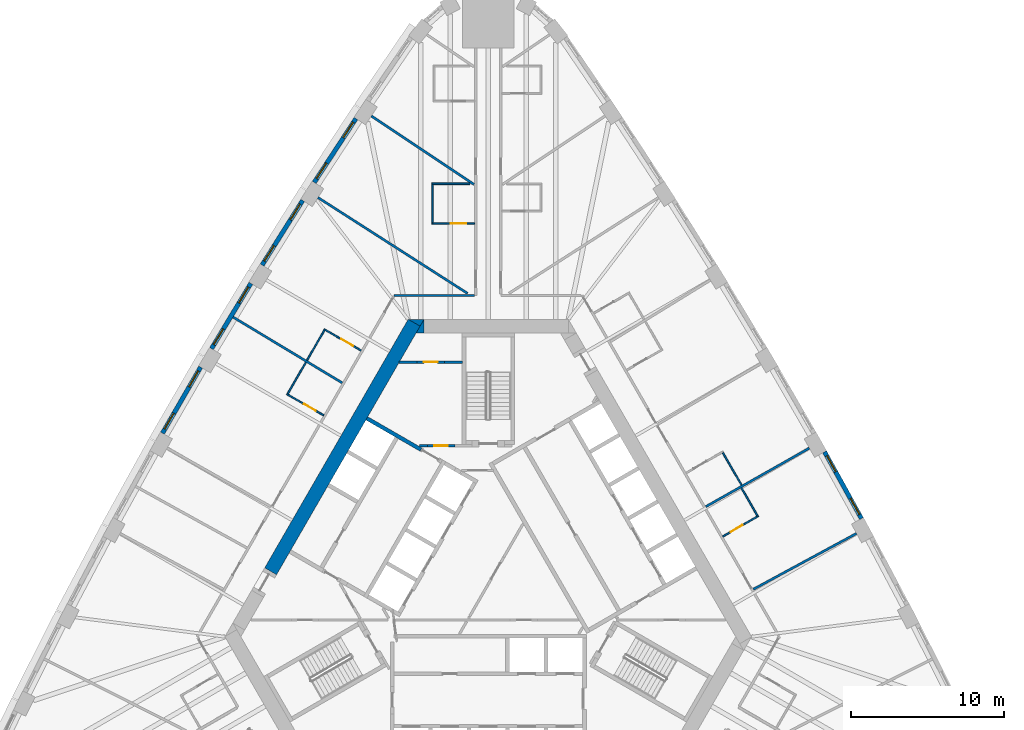
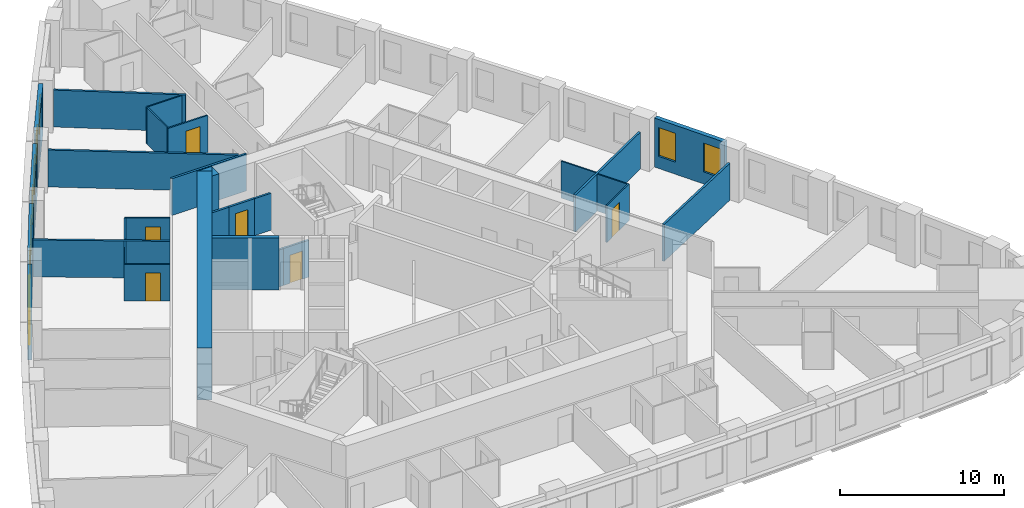
# One storey, part 9 of 13: 30 walls, 10 windows, 6 doors, 16 openings.
"""IFC4 building model written with IfcOpenShell, lengths in metres."""

from ifc_helpers import new_model, si_unit, direction, frame, frame_2d, origin, place, context, subcontext, project, spatial, polyline, rectangle, outline, extrude, material, layer, layer_set, type_object, element, fill, save


model = new_model("IFC4")

# Units and contexts
model_context = context("Model", 3, precision=1e-05, world=origin(), true_north=direction((0.0, 1.0)))
body_context = subcontext(model_context, "Body", "Model", "MODEL_VIEW")
ifc_project = project(units=[si_unit("LENGTHUNIT", "METRE"), si_unit("AREAUNIT", "SQUARE_METRE"), si_unit("VOLUMEUNIT", "CUBIC_METRE"), si_unit("PLANEANGLEUNIT", "RADIAN"), si_unit("MASSUNIT", "GRAM", prefix="KILO")], contexts=[model_context])

# Site, building, storey
site_placement = place(None, origin())
site = spatial("IfcSite", under=ifc_project, at=site_placement, CompositionType="ELEMENT")
building_placement = place(site_placement, origin())
building = spatial("IfcBuilding", under=site, at=building_placement, Name="Mestral Congress Tower", CompositionType="ELEMENT")
storey_placement = place(building_placement, frame((0.0, 0.0, 62.699951171875)))
storey = spatial("IfcBuildingStorey", under=building, at=storey_placement, Name="L14", CompositionType="ELEMENT", Elevation=62.699951171875)

# Walls
ifc_material_1 = material(Name="Fire-rated board partition")
ifc_layer_1 = layer(ifc_material_1, 0.14990234375)
ifc_layer_set_1 = layer_set([ifc_layer_1], Name="Fire-rated board partition")
wall_type_1 = type_object("IfcWallType", Name="Core partition 150", PredefinedType="PARTITIONING", material=ifc_layer_set_1)
wall_1_placement = place(storey_placement, frame((-3.99658203125, 8.625244140625, 0.0), z_axis=(0.0, 0.0, 1.0), x_axis=(-1.0, 0.0, 0.0)))
element("IfcWall", 1, at=wall_1_placement, inside=storey, type_object=wall_type_1, Name="L14 core wall", PredefinedType="PARTITIONING", context=body_context, shape_type="SweptSolid", body=[
    extrude(rectangle(XDim=0.502197265625, YDim=0.14990234375, at=frame_2d((0.2509765625, 0.0))), origin(), (0.0, 0.0, 1.0), 2.75),
])
wall_2_placement = place(storey_placement, frame((-5.85107421875, 14.10205078125, 0.0), z_axis=(0.0, 0.0, 1.0), x_axis=(1.0, 0.0, 0.0)))
element("IfcWall", 2, at=wall_2_placement, inside=storey, type_object=wall_type_1, Name="L14 core wall", PredefinedType="PARTITIONING", context=body_context, shape_type="SweptSolid", body=[
    extrude(rectangle(XDim=1.18017578125, YDim=0.14990234375, at=frame_2d((0.590087890625, 0.0))), origin(), (0.0, 0.0, 1.0), 2.75),
])
wall_3_placement = place(storey_placement, frame((-2.87060546875, 14.10205078125, 0.0), z_axis=(0.0, 0.0, 1.0), x_axis=(1.0, 0.0, 0.0)))
element("IfcWall", 3, at=wall_3_placement, inside=storey, type_object=wall_type_1, Name="L14 core wall", PredefinedType="PARTITIONING", context=body_context, shape_type="SweptSolid", body=[
    extrude(rectangle(XDim=1.195556640625, YDim=0.14990234375, at=frame_2d((0.59765625, 0.0))), origin(), (0.0, 0.0, 1.0), 2.75),
])

# Wall, opening, door
wall_4_placement = place(storey_placement, frame((-2.1962890625, 8.625, 0.0), z_axis=(0.0, 0.0, 1.0), x_axis=(-1.0, 0.0, 0.0)))
wall_4 = element("IfcWall", 4, at=wall_4_placement, inside=storey, type_object=wall_type_1, Name="L14 door wall", PredefinedType="PARTITIONING", context=body_context, shape_type="SweptSolid", body=[
    extrude(rectangle(XDim=1.800048828125, YDim=0.14990234375, at=frame_2d((0.89990234375, 0.0))), origin(), (0.0, 0.0, 1.0), 2.75),
])
opening_1_placement = place(wall_4_placement, frame((0.449951171875, 0.0, 0.0)))
opening_1 = element("IfcOpeningElement", 5, at=opening_1_placement, cuts=wall_4, Name="Opening TD2", PredefinedType="OPENING", context=body_context, shape_type="SweptSolid", body=[
    extrude(rectangle(XDim=0.89990234375, YDim=2.10009765625, at=frame_2d((0.449951171875, 1.050048828125))), frame((0.0, 0.0849609375, 0.0), z_axis=(0.0, -1.0, 0.0), x_axis=(1.0, 0.0, 0.0)), (0.0, 0.0, 1.0), 0.169921875),
])
ifc_material_2 = material(Name="Fire-rated steel door set", Category="steel")
door_type_1 = type_object("IfcDoorType", Name="Core door SR 900x2100", OperationType="SINGLE_SWING_LEFT", PredefinedType="DOOR", material=ifc_material_2)
door_1_placement = place(opening_1_placement, origin())
door_1 = element("IfcDoor", 6, at=door_1_placement, inside=storey, type_object=door_type_1, Name="Door TD2", OperationType="SINGLE_SWING_LEFT", OverallHeight=2.10009765625, OverallWidth=0.89990234375, PredefinedType="DOOR", context=body_context, shape_type="SweptSolid", body=[
    extrude(rectangle(XDim=0.89990234375, YDim=2.10009765625, at=frame_2d((0.449951171875, 1.050048828125))), frame((0.0, 0.02490234375, 0.0), z_axis=(0.0, -1.0, 0.0), x_axis=(1.0, 0.0, 0.0)), (0.0, 0.0, 1.0), 0.050048828125),
])
fill(opening_1, door_1)

wall_5_placement = place(storey_placement, frame((-2.870849609375, 14.10205078125, 0.0), z_axis=(0.0, 0.0, 1.0), x_axis=(-1.0, 0.0, 0.0)))
wall_5 = element("IfcWall", 7, at=wall_5_placement, inside=storey, type_object=wall_type_1, Name="L14 door wall", PredefinedType="PARTITIONING", context=body_context, shape_type="SweptSolid", body=[
    extrude(rectangle(XDim=1.800048828125, YDim=0.14990234375, at=frame_2d((0.89990234375, 0.0))), origin(), (0.0, 0.0, 1.0), 2.75),
])
opening_2_placement = place(wall_5_placement, frame((0.449951171875, 0.0, 0.0)))
opening_2 = element("IfcOpeningElement", 8, at=opening_2_placement, cuts=wall_5, Name="Opening SD-WS2", PredefinedType="OPENING", context=body_context, shape_type="SweptSolid", body=[
    extrude(rectangle(XDim=0.89990234375, YDim=2.10009765625, at=frame_2d((0.449951171875, 1.050048828125))), frame((0.0, 0.0849609375, 0.0), z_axis=(0.0, -1.0, 0.0), x_axis=(1.0, 0.0, 0.0)), (0.0, 0.0, 1.0), 0.169921875),
])
door_2_placement = place(opening_2_placement, origin())
door_2 = element("IfcDoor", 9, at=door_2_placement, inside=storey, type_object=door_type_1, Name="Door SD-WS2", OperationType="SINGLE_SWING_LEFT", OverallHeight=2.10009765625, OverallWidth=0.89990234375, PredefinedType="DOOR", context=body_context, shape_type="SweptSolid", body=[
    extrude(rectangle(XDim=0.89990234375, YDim=2.10009765625, at=frame_2d((0.449951171875, 1.050048828125))), frame((0.0, 0.02490234375, 0.0), z_axis=(0.0, -1.0, 0.0), x_axis=(1.0, 0.0, 0.0)), (0.0, 0.0, 1.0), 0.050048828125),
])
fill(opening_2, door_2)

# Walls
ifc_material_3 = material(Name="Concrete C60/75", Category="concrete")
ifc_layer_2 = layer(ifc_material_3, 0.89990234375)
ifc_layer_set_2 = layer_set([ifc_layer_2], Name="Concrete C60/75")
wall_type_2 = type_object("IfcWallType", Name="Core wall RC 900", PredefinedType="SOLIDWALL", material=ifc_layer_set_2)
wall_6_placement = place(storey_placement, frame((-14.267822265625, 0.38720703125, 0.0), z_axis=(0.0, 0.0, 1.0), x_axis=(0.499994617707, 0.866028511231, 0.0)))
element("IfcWall", 10, at=wall_6_placement, inside=storey, type_object=wall_type_2, Name="L14 core wall", PredefinedType="SOLIDWALL", context=body_context, shape_type="SweptSolid", body=[
    extrude(rectangle(XDim=18.817138671875, YDim=0.89990234375, at=frame_2d((9.40869140625, 0.0))), origin(), (0.0, 0.0, 1.0), 3.900146484375),
])
placement = place(storey_placement, origin())
element("IfcWall", 11, at=placement, inside=storey, type_object=wall_type_2, Name="L14 core wall", PredefinedType="SOLIDWALL", context=body_context, shape_type="SweptSolid", body=[
    extrude(outline(polyline([(-4.214599609375, 16.89990234375), (-4.46875, 16.460205078125), (-5.230712890625, 16.89990234375), (-4.214599609375, 16.89990234375)])), origin(), (0.0, 0.0, 1.0), 3.900146484375),
])
element("IfcWall", 12, at=placement, inside=storey, type_object=wall_type_2, Name="L14 core wall", PredefinedType="SOLIDWALL", context=body_context, shape_type="SweptSolid", body=[
    extrude(outline(polyline([(-4.734375, 16.0), (-4.226318359375, 16.8798828125), (-4.226318359375, 16.0), (-4.734375, 16.0)])), origin(), (0.0, 0.0, 1.0), 3.900146484375),
])

# Wall, openings, windows
ifc_material_4 = material(Name="Precast concrete C40/50 with limestone facing", Category="masonry")
ifc_layer_3 = layer(ifc_material_4, 0.2900390625)
ifc_layer_set_3 = layer_set([ifc_layer_3], Name="Precast concrete C40/50 with limestone facing")
wall_type_3 = type_object("IfcWallType", Name="Facade stone wall 290", PredefinedType="SOLIDWALL", material=ifc_layer_set_3)
wall_9_placement = place(storey_placement, frame((24.46826171875, 3.845703125, 0.0), z_axis=(0.0, 0.0, 1.0), x_axis=(-0.483912572871, 0.875116347589, 0.0)))
wall_9 = element("IfcWall", 13, at=wall_9_placement, inside=storey, type_object=wall_type_3, Name="Facade wall F1-03", PredefinedType="SOLIDWALL", context=body_context, shape_type="SweptSolid", body=[
    extrude(rectangle(XDim=4.998291015625, YDim=0.2900390625, at=frame_2d((2.4990234375, 0.0))), origin(), (0.0, 0.0, 1.0), 3.650146484375),
])
opening_3_placement = place(wall_9_placement, frame((0.297119140625, 0.0, 0.89990234375)))
opening_3 = element("IfcOpeningElement", 14, at=opening_3_placement, cuts=wall_9, Name="Opening W1", PredefinedType="OPENING", context=body_context, shape_type="SweptSolid", body=[
    extrude(rectangle(XDim=1.199951171875, YDim=2.14990234375, at=frame_2d((0.60009765625, 1.074951171875))), frame((0.0, 0.155029296875, 0.0), z_axis=(0.0, -1.0, 0.0), x_axis=(1.0, 0.0, 0.0)), (0.0, 0.0, 1.0), 0.31005859375),
])
opening_4_placement = place(wall_9_placement, frame((3.501220703125, 0.0, 0.89990234375)))
opening_4 = element("IfcOpeningElement", 15, at=opening_4_placement, cuts=wall_9, Name="Opening W1", PredefinedType="OPENING", context=body_context, shape_type="SweptSolid", body=[
    extrude(rectangle(XDim=1.199951171875, YDim=2.14990234375, at=frame_2d((0.60009765625, 1.074951171875))), frame((0.0, 0.155029296875, 0.0), z_axis=(0.0, -1.0, 0.0), x_axis=(1.0, 0.0, 0.0)), (0.0, 0.0, 1.0), 0.31005859375),
])
ifc_material_5 = material(Name="Clear low-emissivity double glazing", Category="glass")
window_type = type_object("IfcWindowType", Name="Facade punched window 1200 x 2150 sill 900", PartitioningType="DOUBLE_PANEL_VERTICAL", PredefinedType="WINDOW", material=ifc_material_5)
window_1_placement = place(opening_3_placement, origin())
window_1 = element("IfcWindow", 16, at=window_1_placement, inside=storey, type_object=window_type, Name="Window F1-03a", OverallHeight=2.14990234375, OverallWidth=1.199951171875, PartitioningType="DOUBLE_PANEL_VERTICAL", PredefinedType="WINDOW", context=body_context, shape_type="SweptSolid", body=[
    extrude(rectangle(XDim=1.199951171875, YDim=2.14990234375, at=frame_2d((0.60009765625, 1.074951171875))), frame((0.0, 0.01513671875, 0.0), z_axis=(0.0, -1.0, 0.0), x_axis=(1.0, 0.0, 0.0)), (0.0, 0.0, 1.0), 0.06005859375),
])
fill(opening_3, window_1)
window_2_placement = place(opening_4_placement, origin())
window_2 = element("IfcWindow", 17, at=window_2_placement, inside=storey, type_object=window_type, Name="Window F1-03b", OverallHeight=2.14990234375, OverallWidth=1.199951171875, PartitioningType="DOUBLE_PANEL_VERTICAL", PredefinedType="WINDOW", context=body_context, shape_type="SweptSolid", body=[
    extrude(rectangle(XDim=1.199951171875, YDim=2.14990234375, at=frame_2d((0.60009765625, 1.074951171875))), frame((0.0, 0.01513671875, 0.0), z_axis=(0.0, -1.0, 0.0), x_axis=(1.0, 0.0, 0.0)), (0.0, 0.0, 1.0), 0.06005859375),
])
fill(opening_4, window_2)

wall_10_placement = place(storey_placement, frame((-8.675537109375, 30.067626953125, 0.0), z_axis=(0.0, 0.0, 1.0), x_axis=(-0.547204617628, -0.836998868845, 0.0)))
wall_10 = element("IfcWall", 18, at=wall_10_placement, inside=storey, type_object=wall_type_3, Name="Facade wall F2-01", PredefinedType="SOLIDWALL", context=body_context, shape_type="SweptSolid", body=[
    extrude(rectangle(XDim=4.998291015625, YDim=0.2900390625, at=frame_2d((2.4990234375, 0.0))), origin(), (0.0, 0.0, 1.0), 3.650146484375),
])
opening_5_placement = place(wall_10_placement, frame((0.297119140625, 0.0, 0.89990234375)))
opening_5 = element("IfcOpeningElement", 19, at=opening_5_placement, cuts=wall_10, Name="Opening W1", PredefinedType="OPENING", context=body_context, shape_type="SweptSolid", body=[
    extrude(rectangle(XDim=1.199951171875, YDim=2.14990234375, at=frame_2d((0.60009765625, 1.074951171875))), frame((0.0, 0.155029296875, 0.0), z_axis=(0.0, -1.0, 0.0), x_axis=(1.0, 0.0, 0.0)), (0.0, 0.0, 1.0), 0.31005859375),
])
opening_6_placement = place(wall_10_placement, frame((3.501220703125, 0.0, 0.89990234375)))
opening_6 = element("IfcOpeningElement", 20, at=opening_6_placement, cuts=wall_10, Name="Opening W1", PredefinedType="OPENING", context=body_context, shape_type="SweptSolid", body=[
    extrude(rectangle(XDim=1.199951171875, YDim=2.14990234375, at=frame_2d((0.60009765625, 1.074951171875))), frame((0.0, 0.155029296875, 0.0), z_axis=(0.0, -1.0, 0.0), x_axis=(1.0, 0.0, 0.0)), (0.0, 0.0, 1.0), 0.31005859375),
])
window_3_placement = place(opening_5_placement, origin())
window_3 = element("IfcWindow", 21, at=window_3_placement, inside=storey, type_object=window_type, Name="Window F2-01a", OverallHeight=2.14990234375, OverallWidth=1.199951171875, PartitioningType="DOUBLE_PANEL_VERTICAL", PredefinedType="WINDOW", context=body_context, shape_type="SweptSolid", body=[
    extrude(rectangle(XDim=1.199951171875, YDim=2.14990234375, at=frame_2d((0.60009765625, 1.074951171875))), frame((0.0, 0.01513671875, 0.0), z_axis=(0.0, -1.0, 0.0), x_axis=(1.0, 0.0, 0.0)), (0.0, 0.0, 1.0), 0.06005859375),
])
fill(opening_5, window_3)
window_4_placement = place(opening_6_placement, origin())
window_4 = element("IfcWindow", 22, at=window_4_placement, inside=storey, type_object=window_type, Name="Window F2-01b", OverallHeight=2.14990234375, OverallWidth=1.199951171875, PartitioningType="DOUBLE_PANEL_VERTICAL", PredefinedType="WINDOW", context=body_context, shape_type="SweptSolid", body=[
    extrude(rectangle(XDim=1.199951171875, YDim=2.14990234375, at=frame_2d((0.60009765625, 1.074951171875))), frame((0.0, 0.01513671875, 0.0), z_axis=(0.0, -1.0, 0.0), x_axis=(1.0, 0.0, 0.0)), (0.0, 0.0, 1.0), 0.06005859375),
])
fill(opening_6, window_4)

wall_11_placement = place(storey_placement, frame((-12.169921875, 24.69921875, 0.0), z_axis=(0.0, 0.0, 1.0), x_axis=(-0.531688286542, -0.846940119462, 0.0)))
wall_11 = element("IfcWall", 23, at=wall_11_placement, inside=storey, type_object=wall_type_3, Name="Facade wall F2-02", PredefinedType="SOLIDWALL", context=body_context, shape_type="SweptSolid", body=[
    extrude(rectangle(XDim=4.998291015625, YDim=0.2900390625, at=frame_2d((2.4990234375, 0.0))), origin(), (0.0, 0.0, 1.0), 3.650146484375),
])
opening_7_placement = place(wall_11_placement, frame((0.297119140625, 0.0, 0.89990234375)))
opening_7 = element("IfcOpeningElement", 24, at=opening_7_placement, cuts=wall_11, Name="Opening W1", PredefinedType="OPENING", context=body_context, shape_type="SweptSolid", body=[
    extrude(rectangle(XDim=1.199951171875, YDim=2.14990234375, at=frame_2d((0.60009765625, 1.074951171875))), frame((0.0, 0.155029296875, 0.0), z_axis=(0.0, -1.0, 0.0), x_axis=(1.0, 0.0, 0.0)), (0.0, 0.0, 1.0), 0.31005859375),
])
opening_8_placement = place(wall_11_placement, frame((3.501220703125, 0.0, 0.89990234375)))
opening_8 = element("IfcOpeningElement", 25, at=opening_8_placement, cuts=wall_11, Name="Opening W1", PredefinedType="OPENING", context=body_context, shape_type="SweptSolid", body=[
    extrude(rectangle(XDim=1.199951171875, YDim=2.14990234375, at=frame_2d((0.60009765625, 1.074951171875))), frame((0.0, 0.155029296875, 0.0), z_axis=(0.0, -1.0, 0.0), x_axis=(1.0, 0.0, 0.0)), (0.0, 0.0, 1.0), 0.31005859375),
])
window_5_placement = place(opening_7_placement, origin())
window_5 = element("IfcWindow", 26, at=window_5_placement, inside=storey, type_object=window_type, Name="Window F2-02a", OverallHeight=2.14990234375, OverallWidth=1.199951171875, PartitioningType="DOUBLE_PANEL_VERTICAL", PredefinedType="WINDOW", context=body_context, shape_type="SweptSolid", body=[
    extrude(rectangle(XDim=1.199951171875, YDim=2.14990234375, at=frame_2d((0.60009765625, 1.074951171875))), frame((0.0, 0.01513671875, 0.0), z_axis=(0.0, -1.0, 0.0), x_axis=(1.0, 0.0, 0.0)), (0.0, 0.0, 1.0), 0.06005859375),
])
fill(opening_7, window_5)
window_6_placement = place(opening_8_placement, origin())
window_6 = element("IfcWindow", 27, at=window_6_placement, inside=storey, type_object=window_type, Name="Window F2-02b", OverallHeight=2.14990234375, OverallWidth=1.199951171875, PartitioningType="DOUBLE_PANEL_VERTICAL", PredefinedType="WINDOW", context=body_context, shape_type="SweptSolid", body=[
    extrude(rectangle(XDim=1.199951171875, YDim=2.14990234375, at=frame_2d((0.60009765625, 1.074951171875))), frame((0.0, 0.01513671875, 0.0), z_axis=(0.0, -1.0, 0.0), x_axis=(1.0, 0.0, 0.0)), (0.0, 0.0, 1.0), 0.06005859375),
])
fill(opening_8, window_6)

wall_12_placement = place(storey_placement, frame((-15.564453125, 19.267333984375, 0.0), z_axis=(0.0, 0.0, 1.0), x_axis=(-0.515938796285, -0.856625448191, 0.0)))
wall_12 = element("IfcWall", 28, at=wall_12_placement, inside=storey, type_object=wall_type_3, Name="Facade wall F2-03", PredefinedType="SOLIDWALL", context=body_context, shape_type="SweptSolid", body=[
    extrude(rectangle(XDim=4.998291015625, YDim=0.2900390625, at=frame_2d((2.4990234375, 0.0))), origin(), (0.0, 0.0, 1.0), 3.650146484375),
])
opening_9_placement = place(wall_12_placement, frame((0.297119140625, 0.0, 0.89990234375)))
opening_9 = element("IfcOpeningElement", 29, at=opening_9_placement, cuts=wall_12, Name="Opening W1", PredefinedType="OPENING", context=body_context, shape_type="SweptSolid", body=[
    extrude(rectangle(XDim=1.199951171875, YDim=2.14990234375, at=frame_2d((0.60009765625, 1.074951171875))), frame((0.0, 0.155029296875, 0.0), z_axis=(0.0, -1.0, 0.0), x_axis=(1.0, 0.0, 0.0)), (0.0, 0.0, 1.0), 0.31005859375),
])
opening_10_placement = place(wall_12_placement, frame((3.501220703125, 0.0, 0.89990234375)))
opening_10 = element("IfcOpeningElement", 30, at=opening_10_placement, cuts=wall_12, Name="Opening W1", PredefinedType="OPENING", context=body_context, shape_type="SweptSolid", body=[
    extrude(rectangle(XDim=1.199951171875, YDim=2.14990234375, at=frame_2d((0.60009765625, 1.074951171875))), frame((0.0, 0.155029296875, 0.0), z_axis=(0.0, -1.0, 0.0), x_axis=(1.0, 0.0, 0.0)), (0.0, 0.0, 1.0), 0.31005859375),
])
window_7_placement = place(opening_9_placement, origin())
window_7 = element("IfcWindow", 31, at=window_7_placement, inside=storey, type_object=window_type, Name="Window F2-03a", OverallHeight=2.14990234375, OverallWidth=1.199951171875, PartitioningType="DOUBLE_PANEL_VERTICAL", PredefinedType="WINDOW", context=body_context, shape_type="SweptSolid", body=[
    extrude(rectangle(XDim=1.199951171875, YDim=2.14990234375, at=frame_2d((0.60009765625, 1.074951171875))), frame((0.0, 0.01513671875, 0.0), z_axis=(0.0, -1.0, 0.0), x_axis=(1.0, 0.0, 0.0)), (0.0, 0.0, 1.0), 0.06005859375),
])
fill(opening_9, window_7)
window_8_placement = place(opening_10_placement, origin())
window_8 = element("IfcWindow", 32, at=window_8_placement, inside=storey, type_object=window_type, Name="Window F2-03b", OverallHeight=2.14990234375, OverallWidth=1.199951171875, PartitioningType="DOUBLE_PANEL_VERTICAL", PredefinedType="WINDOW", context=body_context, shape_type="SweptSolid", body=[
    extrude(rectangle(XDim=1.199951171875, YDim=2.14990234375, at=frame_2d((0.60009765625, 1.074951171875))), frame((0.0, 0.01513671875, 0.0), z_axis=(0.0, -1.0, 0.0), x_axis=(1.0, 0.0, 0.0)), (0.0, 0.0, 1.0), 0.06005859375),
])
fill(opening_10, window_8)

wall_13_placement = place(storey_placement, frame((-18.85791015625, 13.7734375, 0.0), z_axis=(0.0, 0.0, 1.0), x_axis=(-0.50002123722, -0.866013142123, 0.0)))
wall_13 = element("IfcWall", 33, at=wall_13_placement, inside=storey, type_object=wall_type_3, Name="Facade wall F2-04", PredefinedType="SOLIDWALL", context=body_context, shape_type="SweptSolid", body=[
    extrude(rectangle(XDim=4.998291015625, YDim=0.2900390625, at=frame_2d((2.4990234375, 0.0))), origin(), (0.0, 0.0, 1.0), 3.650146484375),
])
opening_11_placement = place(wall_13_placement, frame((0.297119140625, 0.0, 0.89990234375)))
opening_11 = element("IfcOpeningElement", 34, at=opening_11_placement, cuts=wall_13, Name="Opening W1", PredefinedType="OPENING", context=body_context, shape_type="SweptSolid", body=[
    extrude(rectangle(XDim=1.199951171875, YDim=2.14990234375, at=frame_2d((0.60009765625, 1.074951171875))), frame((0.0, 0.155029296875, 0.0), z_axis=(0.0, -1.0, 0.0), x_axis=(1.0, 0.0, 0.0)), (0.0, 0.0, 1.0), 0.31005859375),
])
opening_12_placement = place(wall_13_placement, frame((3.501220703125, 0.0, 0.89990234375)))
opening_12 = element("IfcOpeningElement", 35, at=opening_12_placement, cuts=wall_13, Name="Opening W1", PredefinedType="OPENING", context=body_context, shape_type="SweptSolid", body=[
    extrude(rectangle(XDim=1.199951171875, YDim=2.14990234375, at=frame_2d((0.60009765625, 1.074951171875))), frame((0.0, 0.155029296875, 0.0), z_axis=(0.0, -1.0, 0.0), x_axis=(1.0, 0.0, 0.0)), (0.0, 0.0, 1.0), 0.31005859375),
])
window_9_placement = place(opening_11_placement, origin())
window_9 = element("IfcWindow", 36, at=window_9_placement, inside=storey, type_object=window_type, Name="Window F2-04a", OverallHeight=2.14990234375, OverallWidth=1.199951171875, PartitioningType="DOUBLE_PANEL_VERTICAL", PredefinedType="WINDOW", context=body_context, shape_type="SweptSolid", body=[
    extrude(rectangle(XDim=1.199951171875, YDim=2.14990234375, at=frame_2d((0.60009765625, 1.074951171875))), frame((0.0, 0.01513671875, 0.0), z_axis=(0.0, -1.0, 0.0), x_axis=(1.0, 0.0, 0.0)), (0.0, 0.0, 1.0), 0.06005859375),
])
fill(opening_11, window_9)
window_10_placement = place(opening_12_placement, origin())
window_10 = element("IfcWindow", 37, at=window_10_placement, inside=storey, type_object=window_type, Name="Window F2-04b", OverallHeight=2.14990234375, OverallWidth=1.199951171875, PartitioningType="DOUBLE_PANEL_VERTICAL", PredefinedType="WINDOW", context=body_context, shape_type="SweptSolid", body=[
    extrude(rectangle(XDim=1.199951171875, YDim=2.14990234375, at=frame_2d((0.60009765625, 1.074951171875))), frame((0.0, 0.01513671875, 0.0), z_axis=(0.0, -1.0, 0.0), x_axis=(1.0, 0.0, 0.0)), (0.0, 0.0, 1.0), 0.06005859375),
])
fill(opening_12, window_10)

# Wall, opening, door
ifc_material_6 = material(Name="Gypsum board partition on metal studs with mineral wool", Category="composite")
ifc_layer_4 = layer(ifc_material_6, 0.10009765625)
ifc_layer_set_4 = layer_set([ifc_layer_4], Name="Gypsum board partition on metal studs with mineral wool")
wall_type_4 = type_object("IfcWallType", Name="Hotel partition wall 100", PredefinedType="PARTITIONING", material=ifc_layer_set_4)
wall_14_placement = place(storey_placement, frame((15.376220703125, 2.66796875, 0.0), z_axis=(0.0, 0.0, 1.0), x_axis=(0.866036505625, 0.499980770555, 0.0)))
wall_14 = element("IfcWall", 38, at=wall_14_placement, inside=storey, type_object=wall_type_4, Name="L14-h-pod10a", PredefinedType="PARTITIONING", context=body_context, shape_type="SweptSolid", body=[
    extrude(rectangle(XDim=2.69970703125, YDim=0.10009765625, at=frame_2d((1.349853515625, 0.0))), origin(), (0.0, 0.0, 1.0), 2.75),
])
opening_13_placement = place(wall_14_placement, frame((0.60009765625, 0.0, 0.0)))
opening_13 = element("IfcOpeningElement", 39, at=opening_13_placement, cuts=wall_14, Name="Opening H04-020", PredefinedType="OPENING", context=body_context, shape_type="SweptSolid", body=[
    extrude(rectangle(XDim=0.89990234375, YDim=2.10009765625, at=frame_2d((0.449951171875, 1.050048828125))), frame((0.0, 0.06005859375, 0.0), z_axis=(0.0, -1.0, 0.0), x_axis=(1.0, 0.0, 0.0)), (0.0, 0.0, 1.0), 0.1201171875),
])
ifc_material_7 = material(Name="Timber veneer door leaf in timber frame", Category="wood")
door_type_2 = type_object("IfcDoorType", Name="Bathroom door 900", OperationType="SINGLE_SWING_LEFT", PredefinedType="DOOR", material=ifc_material_7)
door_3_placement = place(opening_13_placement, origin())
door_3 = element("IfcDoor", 40, at=door_3_placement, inside=storey, type_object=door_type_2, Name="L14-h-d020", OperationType="SINGLE_SWING_LEFT", OverallHeight=2.10009765625, OverallWidth=0.89990234375, PredefinedType="DOOR", context=body_context, shape_type="SweptSolid", body=[
    extrude(rectangle(XDim=0.89990234375, YDim=2.10009765625, at=frame_2d((0.449951171875, 1.050048828125))), frame((0.0, 0.02490234375, 0.0), z_axis=(0.0, -1.0, 0.0), x_axis=(1.0, 0.0, 0.0)), (0.0, 0.0, 1.0), 0.050048828125),
])
fill(opening_13, door_3)

# Walls
wall_15_placement = place(storey_placement, frame((17.64599609375, 4.0361328125, 0.0), z_axis=(0.0, 0.0, 1.0), x_axis=(-0.500027713859, 0.866009402589, 0.0)))
element("IfcWall", 41, at=wall_15_placement, inside=storey, type_object=wall_type_4, Name="L14-h-pod10b", PredefinedType="PARTITIONING", context=body_context, shape_type="SweptSolid", body=[
    extrude(rectangle(XDim=2.10009765625, YDim=0.10009765625, at=frame_2d((1.050048828125, 0.0))), origin(), (0.0, 0.0, 1.0), 2.75),
])
wall_16_placement = place(storey_placement, frame((15.379150390625, 8.16259765625, 0.0), z_axis=(0.0, 0.0, 1.0), x_axis=(0.499987006516, -0.866032905446, 0.0)))
element("IfcWall", 42, at=wall_16_placement, inside=storey, type_object=wall_type_4, Name="L14-h-pod11b", PredefinedType="PARTITIONING", context=body_context, shape_type="SweptSolid", body=[
    extrude(rectangle(XDim=2.44970703125, YDim=0.10009765625, at=frame_2d((1.224853515625, 0.0))), origin(), (0.0, 0.0, 1.0), 2.75),
])

# Wall, opening, door
wall_17_placement = place(storey_placement, frame((-3.699951171875, 23.194580078125, 0.0), z_axis=(0.0, 0.0, 1.0), x_axis=(1.0, 0.0, 0.0)))
wall_17 = element("IfcWall", 43, at=wall_17_placement, inside=storey, type_object=wall_type_4, Name="L14-h-pod17a", PredefinedType="PARTITIONING", context=body_context, shape_type="SweptSolid", body=[
    extrude(rectangle(XDim=2.800048828125, YDim=0.10009765625, at=frame_2d((1.39990234375, 0.0))), origin(), (0.0, 0.0, 1.0), 2.75),
])
opening_14_placement = place(wall_17_placement, frame((1.25, 0.0, 0.0)))
opening_14 = element("IfcOpeningElement", 44, at=opening_14_placement, cuts=wall_17, Name="Opening H04-034", PredefinedType="OPENING", context=body_context, shape_type="SweptSolid", body=[
    extrude(rectangle(XDim=1.0, YDim=2.10009765625, at=frame_2d((0.5, 1.050048828125))), frame((0.0, 0.06005859375, 0.0), z_axis=(0.0, -1.0, 0.0), x_axis=(1.0, 0.0, 0.0)), (0.0, 0.0, 1.0), 0.1201171875),
])
door_type_3 = type_object("IfcDoorType", Name="Accessible bathroom door 1000", OperationType="SINGLE_SWING_LEFT", PredefinedType="DOOR", material=ifc_material_7)
door_4_placement = place(opening_14_placement, origin())
door_4 = element("IfcDoor", 45, at=door_4_placement, inside=storey, type_object=door_type_3, Name="L14-h-d034", OperationType="SINGLE_SWING_LEFT", OverallHeight=2.10009765625, OverallWidth=1.0, PredefinedType="DOOR", context=body_context, shape_type="SweptSolid", body=[
    extrude(rectangle(XDim=1.0, YDim=2.10009765625, at=frame_2d((0.5, 1.050048828125))), frame((0.0, 0.02490234375, 0.0), z_axis=(0.0, -1.0, 0.0), x_axis=(1.0, 0.0, 0.0)), (0.0, 0.0, 1.0), 0.050048828125),
])
fill(opening_14, door_4)

# Walls
wall_18_placement = place(storey_placement, frame((-3.64990234375, 23.24462890625, 0.0), z_axis=(0.0, 0.0, 1.0), x_axis=(0.0, 1.0, 0.0)))
element("IfcWall", 46, at=wall_18_placement, inside=storey, type_object=wall_type_4, Name="L14-h-pod17b", PredefinedType="PARTITIONING", context=body_context, shape_type="SweptSolid", body=[
    extrude(rectangle(XDim=2.5, YDim=0.10009765625, at=frame_2d((1.25, 0.0))), origin(), (0.0, 0.0, 1.0), 2.75),
])
wall_19_placement = place(storey_placement, frame((-1.2099609375, 25.794677734375, 0.0), z_axis=(0.0, 0.0, 1.0), x_axis=(-1.0, 0.0, 0.0)))
element("IfcWall", 47, at=wall_19_placement, inside=storey, type_object=wall_type_4, Name="L14-h-pod17c", PredefinedType="PARTITIONING", context=body_context, shape_type="SweptSolid", body=[
    extrude(rectangle(XDim=2.489990234375, YDim=0.10009765625, at=frame_2d((1.2451171875, 0.0))), origin(), (0.0, 0.0, 1.0), 2.75),
])

# Wall, opening, door
wall_20_placement = place(storey_placement, frame((-8.336669921875, 14.860595703125, 0.0), z_axis=(0.0, 0.0, 1.0), x_axis=(-0.866034573852, 0.49998411664, 0.0)))
wall_20 = element("IfcWall", 48, at=wall_20_placement, inside=storey, type_object=wall_type_4, Name="L14-h-pod18a", PredefinedType="PARTITIONING", context=body_context, shape_type="SweptSolid", body=[
    extrude(rectangle(XDim=2.7998046875, YDim=0.10009765625, at=frame_2d((1.39990234375, 0.0))), origin(), (0.0, 0.0, 1.0), 2.75),
])
opening_15_placement = place(wall_20_placement, frame((0.60009765625, 0.0, 0.0)))
opening_15 = element("IfcOpeningElement", 49, at=opening_15_placement, cuts=wall_20, Name="Opening H04-036", PredefinedType="OPENING", context=body_context, shape_type="SweptSolid", body=[
    extrude(rectangle(XDim=0.89990234375, YDim=2.10009765625, at=frame_2d((0.449951171875, 1.050048828125))), frame((0.0, 0.06005859375, 0.0), z_axis=(0.0, -1.0, 0.0), x_axis=(1.0, 0.0, 0.0)), (0.0, 0.0, 1.0), 0.1201171875),
])
door_5_placement = place(opening_15_placement, origin())
door_5 = element("IfcDoor", 50, at=door_5_placement, inside=storey, type_object=door_type_2, Name="L14-h-d036", OperationType="SINGLE_SWING_RIGHT", OverallHeight=2.10009765625, OverallWidth=0.89990234375, PredefinedType="DOOR", context=body_context, shape_type="SweptSolid", body=[
    extrude(rectangle(XDim=0.89990234375, YDim=2.10009765625, at=frame_2d((0.449951171875, 1.050048828125))), frame((0.0, 0.02490234375, 0.0), z_axis=(0.0, -1.0, 0.0), x_axis=(1.0, 0.0, 0.0)), (0.0, 0.0, 1.0), 0.050048828125),
])
fill(opening_15, door_5)

# Wall
wall_21_placement = place(storey_placement, frame((-10.7431640625, 16.192138671875, 0.0), z_axis=(0.0, 0.0, 1.0), x_axis=(-0.500014167291, -0.866017224141, 0.0)))
element("IfcWall", 51, at=wall_21_placement, inside=storey, type_object=wall_type_4, Name="L14-h-pod18b", PredefinedType="PARTITIONING", context=body_context, shape_type="SweptSolid", body=[
    extrude(rectangle(XDim=2.27001953125, YDim=0.10009765625, at=frame_2d((1.135009765625, 0.0))), origin(), (0.0, 0.0, 1.0), 2.75),
])

# Wall, opening, door
wall_22_placement = place(storey_placement, frame((-13.215087890625, 12.0107421875, 0.0), z_axis=(0.0, 0.0, 1.0), x_axis=(0.865996816683, -0.500049511043, 0.0)))
wall_22 = element("IfcWall", 52, at=wall_22_placement, inside=storey, type_object=wall_type_4, Name="L14-h-pod19a", PredefinedType="PARTITIONING", context=body_context, shape_type="SweptSolid", body=[
    extrude(rectangle(XDim=2.800048828125, YDim=0.10009765625, at=frame_2d((1.39990234375, 0.0))), origin(), (0.0, 0.0, 1.0), 2.75),
])
opening_16_placement = place(wall_22_placement, frame((1.300048828125, 0.0, 0.0)))
opening_16 = element("IfcOpeningElement", 53, at=opening_16_placement, cuts=wall_22, Name="Opening H04-038", PredefinedType="OPENING", context=body_context, shape_type="SweptSolid", body=[
    extrude(rectangle(XDim=0.89990234375, YDim=2.10009765625, at=frame_2d((0.449951171875, 1.050048828125))), frame((0.0, 0.06005859375, 0.0), z_axis=(0.0, -1.0, 0.0), x_axis=(1.0, 0.0, 0.0)), (0.0, 0.0, 1.0), 0.1201171875),
])
door_6_placement = place(opening_16_placement, origin())
door_6 = element("IfcDoor", 54, at=door_6_placement, inside=storey, type_object=door_type_2, Name="L14-h-d038", OperationType="SINGLE_SWING_LEFT", OverallHeight=2.10009765625, OverallWidth=0.89990234375, PredefinedType="DOOR", context=body_context, shape_type="SweptSolid", body=[
    extrude(rectangle(XDim=0.89990234375, YDim=2.10009765625, at=frame_2d((0.449951171875, 1.050048828125))), frame((0.0, 0.02490234375, 0.0), z_axis=(0.0, -1.0, 0.0), x_axis=(1.0, 0.0, 0.0)), (0.0, 0.0, 1.0), 0.050048828125),
])
fill(opening_16, door_6)

# Walls
wall_23_placement = place(storey_placement, frame((-13.146728515625, 12.029052734375, 0.0), z_axis=(0.0, 0.0, 1.0), x_axis=(0.499939447199, 0.866060361138, 0.0)))
element("IfcWall", 55, at=wall_23_placement, inside=storey, type_object=wall_type_4, Name="L14-h-pod19b", PredefinedType="PARTITIONING", context=body_context, shape_type="SweptSolid", body=[
    extrude(rectangle(XDim=2.369873046875, YDim=0.10009765625, at=frame_2d((1.18505859375, 0.0))), origin(), (0.0, 0.0, 1.0), 2.75),
])
ifc_layer_5 = layer(ifc_material_6, 0.14990234375)
ifc_layer_set_5 = layer_set([ifc_layer_5], Name="Gypsum board partition on metal studs with mineral wool")
wall_type_5 = type_object("IfcWallType", Name="Hotel partition wall 150", PredefinedType="PARTITIONING", material=ifc_layer_set_5)
wall_24_placement = place(storey_placement, frame((-6.1630859375, 18.47509765625, 0.0), z_axis=(0.0, 0.0, 1.0), x_axis=(1.0, 0.0, 0.0)))
element("IfcWall", 56, at=wall_24_placement, inside=storey, type_object=wall_type_5, Name="L14-h-cw07", PredefinedType="PARTITIONING", context=body_context, shape_type="SweptSolid", body=[
    extrude(rectangle(XDim=5.258056640625, YDim=0.14990234375, at=frame_2d((2.62890625, 0.0))), origin(), (0.0, 0.0, 1.0), 2.75),
])
wall_25_placement = place(storey_placement, frame((-16.7294921875, 17.051513671875, 0.0), z_axis=(0.0, 0.0, 1.0), x_axis=(0.856630606266, -0.515930232113, 0.0)))
element("IfcWall", 57, at=wall_25_placement, inside=storey, type_object=wall_type_5, Name="L14-h-pw07", PredefinedType="PARTITIONING", context=body_context, shape_type="SweptSolid", body=[
    extrude(rectangle(XDim=8.35546875, YDim=0.14990234375, at=frame_2d((4.177734375, 0.0))), origin(), (0.0, 0.0, 1.0), 2.75),
])
wall_26_placement = place(storey_placement, frame((-11.16015625, 24.887939453125, 0.0), z_axis=(0.0, 0.0, 1.0), x_axis=(0.84199813156, -0.539480441211, 0.0)))
element("IfcWall", 58, at=wall_26_placement, inside=storey, type_object=wall_type_5, Name="L14-h-pw09", PredefinedType="PARTITIONING", context=body_context, shape_type="SweptSolid", body=[
    extrude(rectangle(XDim=11.63818359375, YDim=0.14990234375, at=frame_2d((5.819091796875, 0.0))), origin(), (0.0, 0.0, 1.0), 2.75),
])
wall_27_placement = place(storey_placement, frame((-7.662353515625, 30.237548828125, 0.0), z_axis=(0.0, 0.0, 1.0), x_axis=(0.831882886825, -0.554951225431, 0.0)))
element("IfcWall", 59, at=wall_27_placement, inside=storey, type_object=wall_type_5, Name="L14-h-pw10", PredefinedType="PARTITIONING", context=body_context, shape_type="SweptSolid", body=[
    extrude(rectangle(XDim=8.078857421875, YDim=0.14990234375, at=frame_2d((4.03955078125, 0.0))), origin(), (0.0, 0.0, 1.0), 2.75),
])
wall_28_placement = place(storey_placement, frame((21.051513671875, 8.464111328125, 0.0), z_axis=(0.0, 0.0, 1.0), x_axis=(-0.87059371954, -0.492002617368, 0.0)))
element("IfcWall", 60, at=wall_28_placement, inside=storey, type_object=wall_type_5, Name="L14-h-pw19", PredefinedType="PARTITIONING", context=body_context, shape_type="SweptSolid", body=[
    extrude(rectangle(XDim=7.803466796875, YDim=0.14990234375, at=frame_2d((3.90185546875, 0.0))), origin(), (0.0, 0.0, 1.0), 2.75),
])
wall_29_placement = place(storey_placement, frame((24.14453125, 2.87060546875, 0.0), z_axis=(0.0, 0.0, 1.0), x_axis=(-0.879551725039, -0.475803281809, 0.0)))
element("IfcWall", 61, at=wall_29_placement, inside=storey, type_object=wall_type_5, Name="L14-h-pw21", PredefinedType="PARTITIONING", context=body_context, shape_type="SweptSolid", body=[
    extrude(rectangle(XDim=7.68798828125, YDim=0.14990234375, at=frame_2d((3.843994140625, 0.0))), origin(), (0.0, 0.0, 1.0), 2.75),
])
ifc_layer_6 = layer(ifc_material_3, 0.25)
ifc_layer_set_6 = layer_set([ifc_layer_6], Name="Concrete C60/75")
wall_type_6 = type_object("IfcWallType", Name="Shaft wall RC 250", PredefinedType="SOLIDWALL", material=ifc_layer_set_6)
wall_30_placement = place(storey_placement, frame((-7.958984375, 10.414794921875, 0.0), z_axis=(0.0, 0.0, 1.0), x_axis=(0.866020958405, -0.500007699544, 0.0)))
element("IfcWall", 62, at=wall_30_placement, inside=storey, type_object=wall_type_6, Name="L14 core wall", PredefinedType="SOLIDWALL", context=body_context, shape_type="SweptSolid", body=[
    extrude(rectangle(XDim=4.099609375, YDim=0.25, at=frame_2d((2.0498046875, 0.0))), origin(), (0.0, 0.0, 1.0), 3.900146484375),
])

save(model, "model.ifc")
